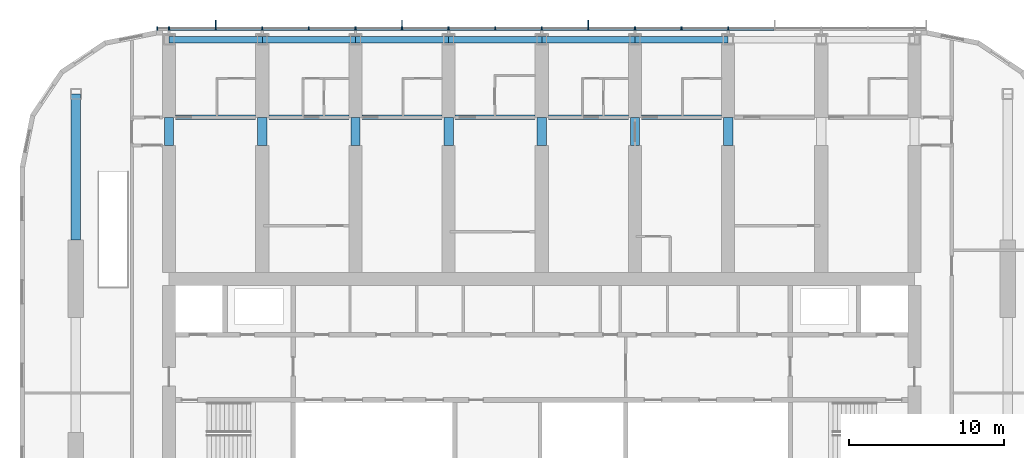
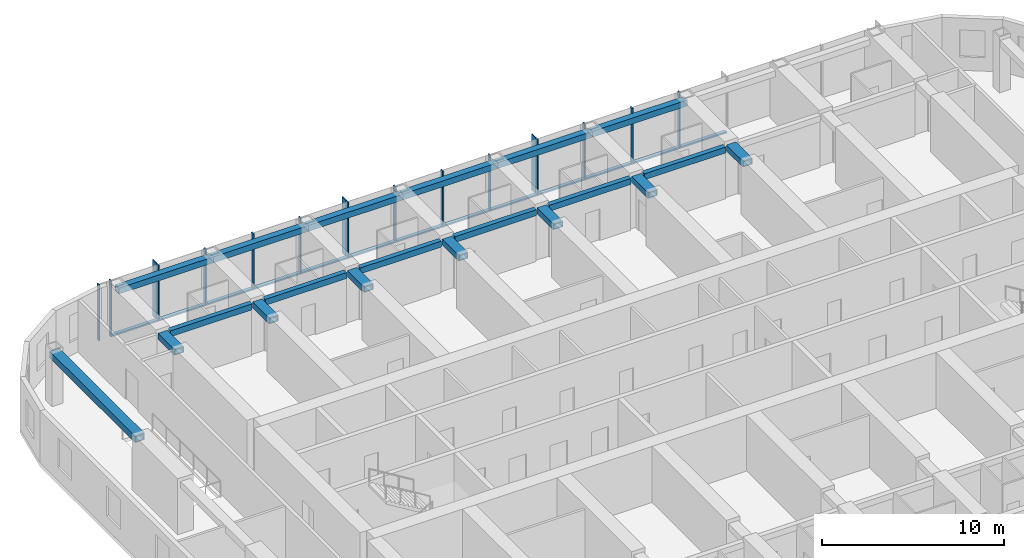
# One storey, part 4 of 22: 30 members, 20 beams, 1 element without a shape of its own.
"""IFC4 building model written with IfcOpenShell, lengths in metres."""

from ifc_helpers import new_model, si_unit, direction, frame, origin, origin_2d, place, context, subcontext, project, spatial, rectangle, hollow_rectangle, extrude, material, material_profile, profile_set, type_object, element, aggregate, save


model = new_model("IFC4")

# Units and contexts
model_context = context("Model", 3, precision=1e-05, world=origin(), true_north=direction((0.0, 1.0)))
body_context = subcontext(model_context, "Body", "Model", "MODEL_VIEW")
ifc_project = project(units=[si_unit("LENGTHUNIT", "METRE"), si_unit("AREAUNIT", "SQUARE_METRE"), si_unit("VOLUMEUNIT", "CUBIC_METRE"), si_unit("PLANEANGLEUNIT", "RADIAN"), si_unit("MASSUNIT", "GRAM", prefix="KILO")], contexts=[model_context])

# Site, building, storey
site_placement = place(None, origin())
site = spatial("IfcSite", under=ifc_project, at=site_placement, CompositionType="ELEMENT")
building_placement = place(site_placement, origin())
building = spatial("IfcBuilding", under=site, at=building_placement, Name="Orbita Commons", CompositionType="ELEMENT")
storey_placement = place(building_placement, frame((0.0, 0.0, 152.35009765625)))
storey = spatial("IfcBuildingStorey", under=building, at=storey_placement, Name="L37", CompositionType="ELEMENT", Elevation=152.35009765625)

# Curtain wall, members
ifc_material_1 = material(Name="Anodised aluminium frame, pale silver", Category="aluminium")
curtain_wall_type = type_object("IfcCurtainWallType", Name="Unitised curtain wall CW-U, full-height vision", PredefinedType="NOTDEFINED", material=ifc_material_1)
curtain_wall_placement = place(storey_placement, origin())
curtain_wall = element("IfcCurtainWall", 1, at=curtain_wall_placement, inside=storey, type_object=curtain_wall_type, Name="Curtain wall north L37", PredefinedType="NOTDEFINED")
ifc_material_2 = material(Name="Anodised aluminium, pale silver", Category="aluminium")
ifc_material_profile_1 = material_profile(ifc_material_2, rectangle(XDim=0.080078125, YDim=0.219970703125, at=origin_2d()), Name="AL 80x220")
ifc_profile_set_1 = profile_set([ifc_material_profile_1], Name="Anodised aluminium, pale silver")
member_type_1 = type_object("IfcMemberType", Name="Curtain wall mullion 80x220", PredefinedType="MULLION", material=ifc_profile_set_1)
member_1_placement = place(storey_placement, frame((54.0, 54.31005859375, -0.25), z_axis=(0.0, 0.0, 1.0), x_axis=(-1.0, 0.0, 0.0)))
member_1 = element("IfcMember", 2, at=member_1_placement, type_object=member_type_1, Name="Mullion 6 CW-L37-N", PredefinedType="MULLION", context=body_context, shape_type="SweptSolid", body=[
    extrude(rectangle(XDim=0.080078125, YDim=0.219970703125, at=origin_2d()), origin(), (0.0, 0.0, 1.0), 3.75),
])
member_2_placement = place(storey_placement, frame((51.0, 54.31005859375, -0.25), z_axis=(0.0, 0.0, 1.0), x_axis=(-1.0, 0.0, 0.0)))
member_2 = element("IfcMember", 3, at=member_2_placement, type_object=member_type_1, Name="Mullion 7 CW-L37-N", PredefinedType="MULLION", context=body_context, shape_type="SweptSolid", body=[
    extrude(rectangle(XDim=0.080078125, YDim=0.219970703125, at=origin_2d()), origin(), (0.0, 0.0, 1.0), 3.75),
])
member_3_placement = place(storey_placement, frame((48.0, 54.31005859375, -0.25), z_axis=(0.0, 0.0, 1.0), x_axis=(-1.0, 0.0, 0.0)))
member_3 = element("IfcMember", 4, at=member_3_placement, type_object=member_type_1, Name="Mullion 8 CW-L37-N", PredefinedType="MULLION", context=body_context, shape_type="SweptSolid", body=[
    extrude(rectangle(XDim=0.080078125, YDim=0.219970703125, at=origin_2d()), origin(), (0.0, 0.0, 1.0), 3.75),
])
member_4_placement = place(storey_placement, frame((45.0, 54.31005859375, -0.25), z_axis=(0.0, 0.0, 1.0), x_axis=(-1.0, 0.0, 0.0)))
member_4 = element("IfcMember", 5, at=member_4_placement, type_object=member_type_1, Name="Mullion 9 CW-L37-N", PredefinedType="MULLION", context=body_context, shape_type="SweptSolid", body=[
    extrude(rectangle(XDim=0.080078125, YDim=0.219970703125, at=origin_2d()), origin(), (0.0, 0.0, 1.0), 3.75),
])
member_5_placement = place(storey_placement, frame((42.0, 54.31005859375, -0.25), z_axis=(0.0, 0.0, 1.0), x_axis=(-1.0, 0.0, 0.0)))
member_5 = element("IfcMember", 6, at=member_5_placement, type_object=member_type_1, Name="Mullion 10 CW-L37-N", PredefinedType="MULLION", context=body_context, shape_type="SweptSolid", body=[
    extrude(rectangle(XDim=0.080078125, YDim=0.219970703125, at=origin_2d()), origin(), (0.0, 0.0, 1.0), 3.75),
])
member_6_placement = place(storey_placement, frame((39.0, 54.31005859375, -0.25), z_axis=(0.0, 0.0, 1.0), x_axis=(-1.0, 0.0, 0.0)))
member_6 = element("IfcMember", 7, at=member_6_placement, type_object=member_type_1, Name="Mullion 11 CW-L37-N", PredefinedType="MULLION", context=body_context, shape_type="SweptSolid", body=[
    extrude(rectangle(XDim=0.080078125, YDim=0.219970703125, at=origin_2d()), origin(), (0.0, 0.0, 1.0), 3.75),
])
member_7_placement = place(storey_placement, frame((36.0, 54.31005859375, -0.25), z_axis=(0.0, 0.0, 1.0), x_axis=(-1.0, 0.0, 0.0)))
member_7 = element("IfcMember", 8, at=member_7_placement, type_object=member_type_1, Name="Mullion 12 CW-L37-N", PredefinedType="MULLION", context=body_context, shape_type="SweptSolid", body=[
    extrude(rectangle(XDim=0.080078125, YDim=0.219970703125, at=origin_2d()), origin(), (0.0, 0.0, 1.0), 3.75),
])
member_8_placement = place(storey_placement, frame((33.0, 54.31005859375, -0.25), z_axis=(0.0, 0.0, 1.0), x_axis=(-1.0, 0.0, 0.0)))
member_8 = element("IfcMember", 9, at=member_8_placement, type_object=member_type_1, Name="Mullion 13 CW-L37-N", PredefinedType="MULLION", context=body_context, shape_type="SweptSolid", body=[
    extrude(rectangle(XDim=0.080078125, YDim=0.219970703125, at=origin_2d()), origin(), (0.0, 0.0, 1.0), 3.75),
])
member_9_placement = place(storey_placement, frame((30.0, 54.31005859375, -0.25), z_axis=(0.0, 0.0, 1.0), x_axis=(-1.0, 0.0, 0.0)))
member_9 = element("IfcMember", 10, at=member_9_placement, type_object=member_type_1, Name="Mullion 14 CW-L37-N", PredefinedType="MULLION", context=body_context, shape_type="SweptSolid", body=[
    extrude(rectangle(XDim=0.080078125, YDim=0.219970703125, at=origin_2d()), origin(), (0.0, 0.0, 1.0), 3.75),
])
member_10_placement = place(storey_placement, frame((27.0, 54.31005859375, -0.25), z_axis=(0.0, 0.0, 1.0), x_axis=(-1.0, 0.0, 0.0)))
member_10 = element("IfcMember", 11, at=member_10_placement, type_object=member_type_1, Name="Mullion 15 CW-L37-N", PredefinedType="MULLION", context=body_context, shape_type="SweptSolid", body=[
    extrude(rectangle(XDim=0.080078125, YDim=0.219970703125, at=origin_2d()), origin(), (0.0, 0.0, 1.0), 3.75),
])
member_11_placement = place(storey_placement, frame((24.0, 54.31005859375, -0.25), z_axis=(0.0, 0.0, 1.0), x_axis=(-1.0, 0.0, 0.0)))
member_11 = element("IfcMember", 12, at=member_11_placement, type_object=member_type_1, Name="Mullion 16 CW-L37-N", PredefinedType="MULLION", context=body_context, shape_type="SweptSolid", body=[
    extrude(rectangle(XDim=0.080078125, YDim=0.219970703125, at=origin_2d()), origin(), (0.0, 0.0, 1.0), 3.75),
])
member_12_placement = place(storey_placement, frame((21.0, 54.31005859375, -0.25), z_axis=(0.0, 0.0, 1.0), x_axis=(-1.0, 0.0, 0.0)))
member_12 = element("IfcMember", 13, at=member_12_placement, type_object=member_type_1, Name="Mullion 17 CW-L37-N", PredefinedType="MULLION", context=body_context, shape_type="SweptSolid", body=[
    extrude(rectangle(XDim=0.080078125, YDim=0.219970703125, at=origin_2d()), origin(), (0.0, 0.0, 1.0), 3.75),
])
member_13_placement = place(storey_placement, frame((18.0, 54.31005859375, -0.25), z_axis=(0.0, 0.0, 1.0), x_axis=(-1.0, 0.0, 0.0)))
member_13 = element("IfcMember", 14, at=member_13_placement, type_object=member_type_1, Name="Mullion 18 CW-L37-N", PredefinedType="MULLION", context=body_context, shape_type="SweptSolid", body=[
    extrude(rectangle(XDim=0.080078125, YDim=0.219970703125, at=origin_2d()), origin(), (0.0, 0.0, 1.0), 3.75),
])
member_14_placement = place(storey_placement, frame((17.239990234375, 54.31005859375, -0.25), z_axis=(0.0, 0.0, 1.0), x_axis=(-1.0, 0.0, 0.0)))
member_14 = element("IfcMember", 15, at=member_14_placement, type_object=member_type_1, Name="Mullion 19 CW-L37-N", PredefinedType="MULLION", context=body_context, shape_type="SweptSolid", body=[
    extrude(rectangle(XDim=0.080078125, YDim=0.219970703125, at=origin_2d()), origin(), (0.0, 0.0, 1.0), 3.75),
])
ifc_material_3 = material(Name="Anodised aluminium, pale silver", Category="aluminium")
ifc_material_profile_2 = material_profile(ifc_material_3, rectangle(XDim=0.219970703125, YDim=0.10009765625, at=origin_2d()), Name="AL 220x100")
ifc_profile_set_2 = profile_set([ifc_material_profile_2], Name="Anodised aluminium, pale silver")
member_type_2 = type_object("IfcMemberType", Name="Curtain wall stack transom 220x100", PredefinedType="USERDEFINED", material=ifc_profile_set_2)
member_15_placement = place(storey_placement, frame((56.9599609375, 54.31005859375, -0.2001953125), z_axis=(-1.0, 0.0, 0.0), x_axis=(0.0, -1.0, 0.0)))
member_15 = element("IfcMember", 16, at=member_15_placement, type_object=member_type_2, Name="Transom 5.1 CW-L37-N", ObjectType="TRANSOM", PredefinedType="USERDEFINED", context=body_context, shape_type="SweptSolid", body=[
    extrude(rectangle(XDim=0.219970703125, YDim=0.10009765625, at=origin_2d()), origin(), (0.0, 0.0, 1.0), 2.919921875),
])
member_16_placement = place(storey_placement, frame((53.9599609375, 54.31005859375, -0.2001953125), z_axis=(-1.0, 0.0, 0.0), x_axis=(0.0, -1.0, 0.0)))
member_16 = element("IfcMember", 17, at=member_16_placement, type_object=member_type_2, Name="Transom 6.1 CW-L37-N", ObjectType="TRANSOM", PredefinedType="USERDEFINED", context=body_context, shape_type="SweptSolid", body=[
    extrude(rectangle(XDim=0.219970703125, YDim=0.10009765625, at=origin_2d()), origin(), (0.0, 0.0, 1.0), 2.919921875),
])
member_17_placement = place(storey_placement, frame((50.9599609375, 54.31005859375, -0.2001953125), z_axis=(-1.0, 0.0, 0.0), x_axis=(0.0, -1.0, 0.0)))
member_17 = element("IfcMember", 18, at=member_17_placement, type_object=member_type_2, Name="Transom 7.1 CW-L37-N", ObjectType="TRANSOM", PredefinedType="USERDEFINED", context=body_context, shape_type="SweptSolid", body=[
    extrude(rectangle(XDim=0.219970703125, YDim=0.10009765625, at=origin_2d()), origin(), (0.0, 0.0, 1.0), 2.919921875),
])
member_18_placement = place(storey_placement, frame((47.9599609375, 54.31005859375, -0.2001953125), z_axis=(-1.0, 0.0, 0.0), x_axis=(0.0, -1.0, 0.0)))
member_18 = element("IfcMember", 19, at=member_18_placement, type_object=member_type_2, Name="Transom 8.1 CW-L37-N", ObjectType="TRANSOM", PredefinedType="USERDEFINED", context=body_context, shape_type="SweptSolid", body=[
    extrude(rectangle(XDim=0.219970703125, YDim=0.10009765625, at=origin_2d()), origin(), (0.0, 0.0, 1.0), 2.919921875),
])
member_19_placement = place(storey_placement, frame((44.9599609375, 54.31005859375, -0.2001953125), z_axis=(-1.0, 0.0, 0.0), x_axis=(0.0, -1.0, 0.0)))
member_19 = element("IfcMember", 20, at=member_19_placement, type_object=member_type_2, Name="Transom 9.1 CW-L37-N", ObjectType="TRANSOM", PredefinedType="USERDEFINED", context=body_context, shape_type="SweptSolid", body=[
    extrude(rectangle(XDim=0.219970703125, YDim=0.10009765625, at=origin_2d()), origin(), (0.0, 0.0, 1.0), 2.919921875),
])
member_20_placement = place(storey_placement, frame((41.9599609375, 54.31005859375, -0.2001953125), z_axis=(-1.0, 0.0, 0.0), x_axis=(0.0, -1.0, 0.0)))
member_20 = element("IfcMember", 21, at=member_20_placement, type_object=member_type_2, Name="Transom 10.1 CW-L37-N", ObjectType="TRANSOM", PredefinedType="USERDEFINED", context=body_context, shape_type="SweptSolid", body=[
    extrude(rectangle(XDim=0.219970703125, YDim=0.10009765625, at=origin_2d()), origin(), (0.0, 0.0, 1.0), 2.919921875),
])
member_21_placement = place(storey_placement, frame((38.9599609375, 54.31005859375, -0.2001953125), z_axis=(-1.0, 0.0, 0.0), x_axis=(0.0, -1.0, 0.0)))
member_21 = element("IfcMember", 22, at=member_21_placement, type_object=member_type_2, Name="Transom 11.1 CW-L37-N", ObjectType="TRANSOM", PredefinedType="USERDEFINED", context=body_context, shape_type="SweptSolid", body=[
    extrude(rectangle(XDim=0.219970703125, YDim=0.10009765625, at=origin_2d()), origin(), (0.0, 0.0, 1.0), 2.919921875),
])
member_22_placement = place(storey_placement, frame((35.9599609375, 54.31005859375, -0.2001953125), z_axis=(-1.0, 0.0, 0.0), x_axis=(0.0, -1.0, 0.0)))
member_22 = element("IfcMember", 23, at=member_22_placement, type_object=member_type_2, Name="Transom 12.1 CW-L37-N", ObjectType="TRANSOM", PredefinedType="USERDEFINED", context=body_context, shape_type="SweptSolid", body=[
    extrude(rectangle(XDim=0.219970703125, YDim=0.10009765625, at=origin_2d()), origin(), (0.0, 0.0, 1.0), 2.919921875),
])
member_23_placement = place(storey_placement, frame((32.9599609375, 54.31005859375, -0.2001953125), z_axis=(-1.0, 0.0, 0.0), x_axis=(0.0, -1.0, 0.0)))
member_23 = element("IfcMember", 24, at=member_23_placement, type_object=member_type_2, Name="Transom 13.1 CW-L37-N", ObjectType="TRANSOM", PredefinedType="USERDEFINED", context=body_context, shape_type="SweptSolid", body=[
    extrude(rectangle(XDim=0.219970703125, YDim=0.10009765625, at=origin_2d()), origin(), (0.0, 0.0, 1.0), 2.919921875),
])
member_24_placement = place(storey_placement, frame((29.9599609375, 54.31005859375, -0.2001953125), z_axis=(-1.0, 0.0, 0.0), x_axis=(0.0, -1.0, 0.0)))
member_24 = element("IfcMember", 25, at=member_24_placement, type_object=member_type_2, Name="Transom 14.1 CW-L37-N", ObjectType="TRANSOM", PredefinedType="USERDEFINED", context=body_context, shape_type="SweptSolid", body=[
    extrude(rectangle(XDim=0.219970703125, YDim=0.10009765625, at=origin_2d()), origin(), (0.0, 0.0, 1.0), 2.919921875),
])
member_25_placement = place(storey_placement, frame((26.9599609375, 54.31005859375, -0.2001953125), z_axis=(-1.0, 0.0, 0.0), x_axis=(0.0, -1.0, 0.0)))
member_25 = element("IfcMember", 26, at=member_25_placement, type_object=member_type_2, Name="Transom 15.1 CW-L37-N", ObjectType="TRANSOM", PredefinedType="USERDEFINED", context=body_context, shape_type="SweptSolid", body=[
    extrude(rectangle(XDim=0.219970703125, YDim=0.10009765625, at=origin_2d()), origin(), (0.0, 0.0, 1.0), 2.919921875),
])
member_26_placement = place(storey_placement, frame((23.9599609375, 54.31005859375, -0.2001953125), z_axis=(-1.0, 0.0, 0.0), x_axis=(0.0, -1.0, 0.0)))
member_26 = element("IfcMember", 27, at=member_26_placement, type_object=member_type_2, Name="Transom 16.1 CW-L37-N", ObjectType="TRANSOM", PredefinedType="USERDEFINED", context=body_context, shape_type="SweptSolid", body=[
    extrude(rectangle(XDim=0.219970703125, YDim=0.10009765625, at=origin_2d()), origin(), (0.0, 0.0, 1.0), 2.919921875),
])
member_27_placement = place(storey_placement, frame((20.9599609375, 54.31005859375, -0.2001953125), z_axis=(-1.0, 0.0, 0.0), x_axis=(0.0, -1.0, 0.0)))
member_27 = element("IfcMember", 28, at=member_27_placement, type_object=member_type_2, Name="Transom 17.1 CW-L37-N", ObjectType="TRANSOM", PredefinedType="USERDEFINED", context=body_context, shape_type="SweptSolid", body=[
    extrude(rectangle(XDim=0.219970703125, YDim=0.10009765625, at=origin_2d()), origin(), (0.0, 0.0, 1.0), 2.919921875),
])

# Beams
ifc_material_4 = material(Name="Steel ASTM A572 Gr 50 welded plate", Category="steel")
ifc_material_profile_3 = material_profile(ifc_material_4, hollow_rectangle(XDim=0.300048828125, YDim=0.39990234375, WallThickness=0.0400390625, at=origin_2d()), Name="BOX 400x300x40")
ifc_profile_set_3 = profile_set([ifc_material_profile_3], Name="Steel ASTM A572 Gr 50 welded plate")
beam_type_1 = type_object("IfcBeamType", Name="Steel corridor link BOX 400x300x40", PredefinedType="BEAM", material=ifc_profile_set_3)
for number, where, z_axis, x_axis, name in (
    (29, (18.425048828125, 48.60009765625, 3.2998046875), (1.0, 0.0, 0.0), (0.0, 1.0, 0.0), "Corridor beam NB 4-5 L37"),
    (30, (24.425048828125, 48.60009765625, 3.2998046875), (1.0, 0.0, 0.0), (0.0, 1.0, 0.0), "Corridor beam NB 5-6 L37"),
    (31, (30.425048828125, 48.60009765625, 3.2998046875), (1.0, 0.0, 0.0), (0.0, 1.0, 0.0), "Corridor beam NB 6-7 L37"),
    (32, (36.425048828125, 48.60009765625, 3.2998046875), (1.0, 0.0, 0.0), (0.0, 1.0, 0.0), "Corridor beam NB 7-8 L37"),
    (33, (42.425048828125, 48.60009765625, 3.2998046875), (1.0, 0.0, 0.0), (0.0, 1.0, 0.0), "Corridor beam NB 8-9 L37"),
    (34, (48.425048828125, 48.60009765625, 3.2998046875), (1.0, 0.0, 0.0), (0.0, 1.0, 0.0), "Corridor beam NB 9-10 L37"),
):
    element("IfcBeam", number, at=place(storey_placement, frame(where, z_axis=z_axis, x_axis=x_axis)), inside=storey, type_object=beam_type_1, Name=name, PredefinedType="BEAM", context=body_context, shape_type="SweptSolid", body=[
        extrude(hollow_rectangle(XDim=0.300048828125, YDim=0.39990234375, WallThickness=0.0400390625, at=origin_2d()), origin(), (0.0, 0.0, 1.0), 5.14990234375),
    ])
ifc_material_5 = material(Name="Steel ASTM A572 Gr 50 welded plate", Category="steel")
ifc_material_profile_4 = material_profile(ifc_material_5, hollow_rectangle(XDim=0.60009765625, YDim=0.39990234375, WallThickness=0.050048828125, at=origin_2d()), Name="BOX 400x600x50")
ifc_profile_set_4 = profile_set([ifc_material_profile_4], Name="Steel ASTM A572 Gr 50 welded plate")
beam_type_2 = type_object("IfcBeamType", Name="Steel coupling link BOX 400x600x50", PredefinedType="LINTEL", material=ifc_profile_set_4)
for number, where, z_axis, x_axis, name in (
    (35, (18.0, 46.800048828125, 3.2998046875), (0.0, 1.0, 0.0), (-1.0, 0.0, 0.0), "Coupling beam 4 north L37"),
    (36, (24.0, 46.800048828125, 3.2998046875), (0.0, 1.0, 0.0), (-1.0, 0.0, 0.0), "Coupling beam 5 north L37"),
    (37, (30.0, 46.800048828125, 3.2998046875), (0.0, 1.0, 0.0), (-1.0, 0.0, 0.0), "Coupling beam 6 north L37"),
    (38, (36.0, 46.800048828125, 3.2998046875), (0.0, 1.0, 0.0), (-1.0, 0.0, 0.0), "Coupling beam 7 north L37"),
    (39, (42.0, 46.800048828125, 3.2998046875), (0.0, 1.0, 0.0), (-1.0, 0.0, 0.0), "Coupling beam 8 north L37"),
    (40, (48.0, 46.800048828125, 3.2998046875), (0.0, 1.0, 0.0), (-1.0, 0.0, 0.0), "Coupling beam 9 north L37"),
    (41, (54.0, 46.800048828125, 3.2998046875), (0.0, 1.0, 0.0), (-1.0, 0.0, 0.0), "Coupling beam 10 north L37"),
):
    element("IfcBeam", number, at=place(storey_placement, frame(where, z_axis=z_axis, x_axis=x_axis)), inside=storey, type_object=beam_type_2, Name=name, PredefinedType="LINTEL", context=body_context, shape_type="SweptSolid", body=[
        extrude(hollow_rectangle(XDim=0.60009765625, YDim=0.39990234375, WallThickness=0.050048828125, at=origin_2d()), origin(), (0.0, 0.0, 1.0), 1.800048828125),
    ])
ifc_material_6 = material(Name="Steel ASTM A572 Gr 50 welded plate", Category="steel")
ifc_material_profile_5 = material_profile(ifc_material_6, hollow_rectangle(XDim=0.60009765625, YDim=0.449951171875, WallThickness=0.06005859375, at=origin_2d()), Name="BOX 450x600x60")
ifc_profile_set_5 = profile_set([ifc_material_profile_5], Name="Steel ASTM A572 Gr 50 welded plate")
beam_type_3 = type_object("IfcBeamType", Name="Steel end frame link BOX 450x600x60", PredefinedType="BEAM", material=ifc_profile_set_5)
beam_placement = place(storey_placement, frame((12.0, 40.699951171875, 3.27490234375), z_axis=(0.0, 1.0, 0.0), x_axis=(-1.0, 0.0, 0.0)))
element("IfcBeam", 42, at=beam_placement, inside=storey, type_object=beam_type_3, Name="End frame beam 3 D-E L37", PredefinedType="BEAM", context=body_context, shape_type="SweptSolid", body=[
    extrude(hollow_rectangle(XDim=0.60009765625, YDim=0.449951171875, WallThickness=0.06005859375, at=origin_2d()), origin(), (0.0, 0.0, 1.0), 9.400146484375),
])
ifc_material_7 = material(Name="Steel ASTM A572 Gr 50 welded plate", Category="steel")
ifc_material_profile_6 = material_profile(ifc_material_7, hollow_rectangle(XDim=0.39990234375, YDim=0.39990234375, WallThickness=0.0400390625, at=origin_2d()), Name="BOX 400x400x40")
ifc_profile_set_6 = profile_set([ifc_material_profile_6], Name="Steel ASTM A572 Gr 50 welded plate")
beam_type_4 = type_object("IfcBeamType", Name="Steel spandrel BOX 400x400x40", PredefinedType="SPANDREL", material=ifc_profile_set_6)
for number, where, z_axis, x_axis, name in (
    (43, (18.0, 53.60009765625, 3.2998046875), (1.0, 0.0, 0.0), (0.0, 1.0, 0.0), "Spandrel beam E 4-5 L37"),
    (44, (24.0, 53.60009765625, 3.2998046875), (1.0, 0.0, 0.0), (0.0, 1.0, 0.0), "Spandrel beam E 5-6 L37"),
    (45, (30.0, 53.60009765625, 3.2998046875), (1.0, 0.0, 0.0), (0.0, 1.0, 0.0), "Spandrel beam E 6-7 L37"),
    (46, (36.0, 53.60009765625, 3.2998046875), (1.0, 0.0, 0.0), (0.0, 1.0, 0.0), "Spandrel beam E 7-8 L37"),
    (47, (42.0, 53.60009765625, 3.2998046875), (1.0, 0.0, 0.0), (0.0, 1.0, 0.0), "Spandrel beam E 8-9 L37"),
    (48, (48.0, 53.60009765625, 3.2998046875), (1.0, 0.0, 0.0), (0.0, 1.0, 0.0), "Spandrel beam E 9-10 L37"),
):
    element("IfcBeam", number, at=place(storey_placement, frame(where, z_axis=z_axis, x_axis=x_axis)), inside=storey, type_object=beam_type_4, Name=name, PredefinedType="SPANDREL", context=body_context, shape_type="SweptSolid", body=[
        extrude(hollow_rectangle(XDim=0.39990234375, YDim=0.39990234375, WallThickness=0.0400390625, at=origin_2d()), origin(), (0.0, 0.0, 1.0), 6.0),
    ])

# Member
ifc_material_8 = material(Name="Anodised aluminium, pale silver", Category="aluminium")
ifc_material_profile_7 = material_profile(ifc_material_8, rectangle(XDim=0.06005859375, YDim=0.449951171875, at=origin_2d()), Name="FIN 60x450")
ifc_profile_set_7 = profile_set([ifc_material_profile_7], Name="Anodised aluminium, pale silver")
member_type_3 = type_object("IfcMemberType", Name="Vertical fin 60x450 pale aluminium", PredefinedType="USERDEFINED", material=ifc_profile_set_7)
member_28_placement = place(storey_placement, frame((45.0, 54.64501953125, -0.25), z_axis=(0.0, 0.0, 1.0), x_axis=(-1.0, 0.0, 0.0)))
member_28 = element("IfcMember", 49, at=member_28_placement, type_object=member_type_3, Name="Fin 9 CW-L37-N", ObjectType="FIN", PredefinedType="USERDEFINED", context=body_context, shape_type="SweptSolid", body=[
    extrude(rectangle(XDim=0.06005859375, YDim=0.449951171875, at=origin_2d()), origin(), (0.0, 0.0, 1.0), 3.75),
])

member_29_placement = place(storey_placement, frame((33.0, 54.64501953125, -0.25), z_axis=(0.0, 0.0, 1.0), x_axis=(-1.0, 0.0, 0.0)))
member_29 = element("IfcMember", 50, at=member_29_placement, type_object=member_type_3, Name="Fin 13 CW-L37-N", ObjectType="FIN", PredefinedType="USERDEFINED", context=body_context, shape_type="SweptSolid", body=[
    extrude(rectangle(XDim=0.06005859375, YDim=0.449951171875, at=origin_2d()), origin(), (0.0, 0.0, 1.0), 3.75),
])

member_30_placement = place(storey_placement, frame((21.0, 54.64501953125, -0.25), z_axis=(0.0, 0.0, 1.0), x_axis=(-1.0, 0.0, 0.0)))
member_30 = element("IfcMember", 51, at=member_30_placement, type_object=member_type_3, Name="Fin 17 CW-L37-N", ObjectType="FIN", PredefinedType="USERDEFINED", context=body_context, shape_type="SweptSolid", body=[
    extrude(rectangle(XDim=0.06005859375, YDim=0.449951171875, at=origin_2d()), origin(), (0.0, 0.0, 1.0), 3.75),
])

aggregate(curtain_wall, [member_1, member_2, member_3, member_4, member_28, member_5, member_6, member_7, member_8, member_29, member_9, member_10, member_11, member_12, member_30, member_13, member_14, member_15, member_16, member_17, member_18, member_19, member_20, member_21, member_22, member_23, member_24, member_25, member_26, member_27])

save(model, "model.ifc")
